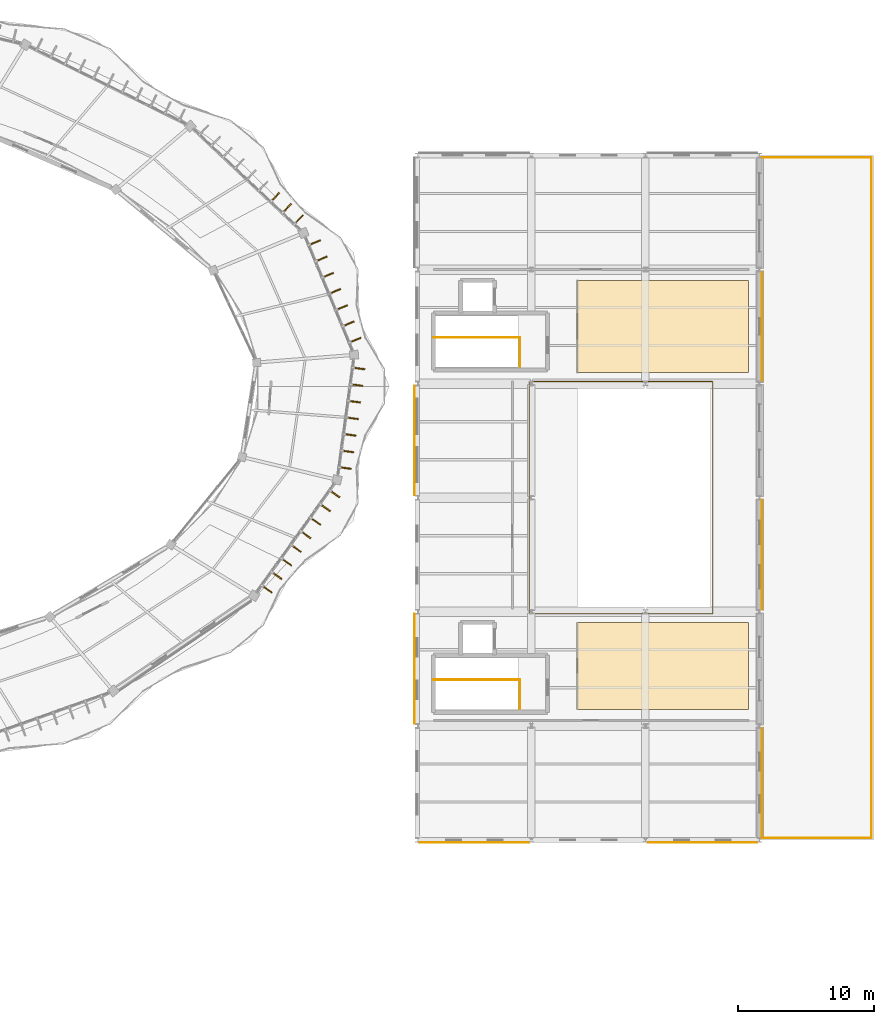
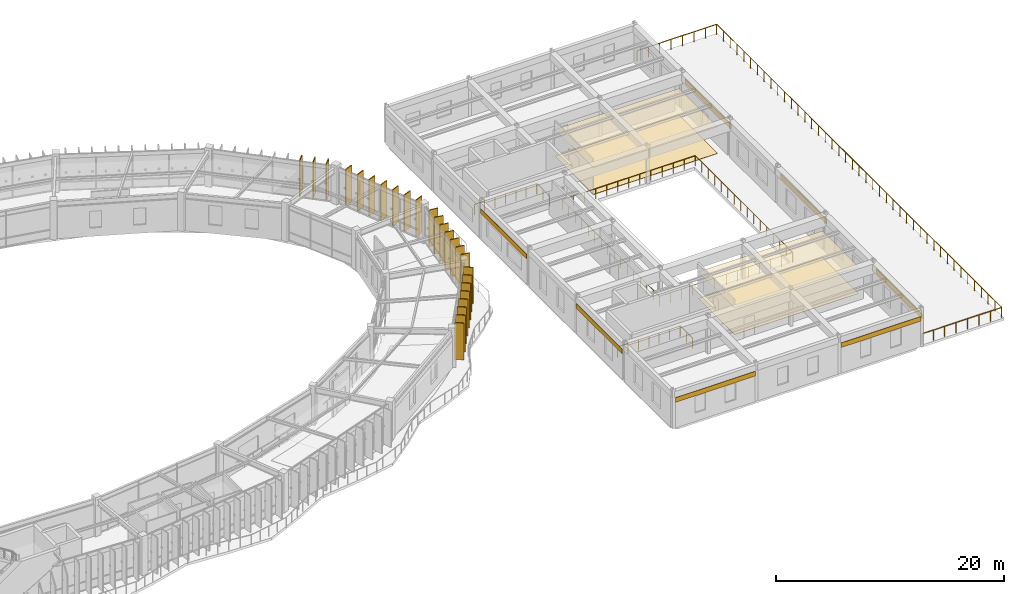
# One storey, part 113 of 114: 25 shading devices, 11 coverings, 6 railings.
"""IFC4 building model written with IfcOpenShell, lengths in metres."""

from ifc_helpers import new_model, si_unit, direction, frame, origin, origin_2d, place, context, subcontext, project, spatial, polyline, rectangle, circle, outline, extrude, material, layer, layer_set, type_object, element, save


model = new_model("IFC4")

# Units and contexts
model_context = context("Model", 3, precision=1e-05, world=origin(), true_north=direction((0.0, 1.0)))
body_context = subcontext(model_context, "Body", "Model", "MODEL_VIEW")
ifc_project = project(units=[si_unit("LENGTHUNIT", "METRE"), si_unit("AREAUNIT", "SQUARE_METRE"), si_unit("VOLUMEUNIT", "CUBIC_METRE"), si_unit("PLANEANGLEUNIT", "RADIAN"), si_unit("MASSUNIT", "GRAM", prefix="KILO"), si_unit("THERMODYNAMICTEMPERATUREUNIT", "KELVIN"), si_unit("POWERUNIT", "WATT")], contexts=[model_context])

# Site, building, storey
site_placement = place(None, origin())
site = spatial("IfcSite", under=ifc_project, at=site_placement, CompositionType="ELEMENT")
building_placement = place(site_placement, origin())
building = spatial("IfcBuilding", under=site, at=building_placement, Name="Darbajah Civic Hall", CompositionType="ELEMENT")
storey_placement = place(building_placement, frame((0.0, 0.0, 13.800048828125)))
storey = spatial("IfcBuildingStorey", under=building, at=storey_placement, Name="L03", CompositionType="ELEMENT", Elevation=13.800048828125)

# Railing
ifc_material_1 = material(Name="Anodised Bronze Aluminium and Laminated Safety Glass", Category="aluminium")
railing_type_1 = type_object("IfcRailingType", Name="Exterior Terrace Balustrade Guard", PredefinedType="BALUSTRADE", material=ifc_material_1)
railing_1_placement = place(storey_placement, frame((169.949951171875, 56.550048828125, 0.0)))
element("IfcRailing", 1, at=railing_1_placement, inside=storey, type_object=railing_type_1, Name="L03 walkable terrace balustrade guard GD-V4-L03-TERR", PredefinedType="BALUSTRADE", context=body_context, shape_type="SweptSolid", body=[
    extrude(circle(Radius=0.02392578125, at=origin_2d()), frame((0.02734375, 0.0, 1.09619140625), z_axis=(1.0, 0.0, 0.0), x_axis=(0.0, 1.0, 0.0)), (0.0, 0.0, 1.0), 8.04541015625),
    extrude(circle(Radius=0.02392578125, at=origin_2d()), frame((8.10009765625, 0.02734375, 1.09619140625), z_axis=(0.0, 1.0, 0.0), x_axis=(-1.0, 0.0, 0.0)), (0.0, 0.0, 1.0), 50.045166015625),
    extrude(circle(Radius=0.02392578125, at=origin_2d()), frame((8.07275390625, 50.099853515625, 1.09619140625), z_axis=(-1.0, 0.0, 0.0), x_axis=(0.0, -1.0, 0.0)), (0.0, 0.0, 1.0), 8.04541015625),
    extrude(circle(Radius=0.02099609375, at=origin_2d()), origin(), (0.0, 0.0, 1.0), 1.068115234375),
    extrude(circle(Radius=0.02099609375, at=origin_2d()), frame((1.1572265625, 0.0, 0.0)), (0.0, 0.0, 1.0), 1.068115234375),
    extrude(circle(Radius=0.02099609375, at=origin_2d()), frame((2.314208984375, 0.0, 0.0)), (0.0, 0.0, 1.0), 1.068115234375),
    extrude(circle(Radius=0.02099609375, at=origin_2d()), frame((3.471435546875, 0.0, 0.0)), (0.0, 0.0, 1.0), 1.068115234375),
    extrude(circle(Radius=0.02099609375, at=origin_2d()), frame((4.628662109375, 0.0, 0.0)), (0.0, 0.0, 1.0), 1.068115234375),
    extrude(circle(Radius=0.02099609375, at=origin_2d()), frame((5.785888671875, 0.0, 0.0)), (0.0, 0.0, 1.0), 1.068115234375),
    extrude(circle(Radius=0.02099609375, at=origin_2d()), frame((6.94287109375, 0.0, 0.0)), (0.0, 0.0, 1.0), 1.068115234375),
    extrude(circle(Radius=0.02099609375, at=origin_2d()), frame((8.10009765625, 0.0, 0.0)), (0.0, 0.0, 1.0), 1.068115234375),
    extrude(circle(Radius=0.02099609375, at=origin_2d()), frame((8.10009765625, 1.19287109375, 0.0)), (0.0, 0.0, 1.0), 1.068115234375),
    extrude(circle(Radius=0.02099609375, at=origin_2d()), frame((8.10009765625, 2.3857421875, 0.0)), (0.0, 0.0, 1.0), 1.068115234375),
    extrude(circle(Radius=0.02099609375, at=origin_2d()), frame((8.10009765625, 3.57861328125, 0.0)), (0.0, 0.0, 1.0), 1.068115234375),
    extrude(circle(Radius=0.02099609375, at=origin_2d()), frame((8.10009765625, 4.771484375, 0.0)), (0.0, 0.0, 1.0), 1.068115234375),
    extrude(circle(Radius=0.02099609375, at=origin_2d()), frame((8.10009765625, 5.96435546875, 0.0)), (0.0, 0.0, 1.0), 1.068115234375),
    extrude(circle(Radius=0.02099609375, at=origin_2d()), frame((8.10009765625, 7.1572265625, 0.0)), (0.0, 0.0, 1.0), 1.068115234375),
    extrude(circle(Radius=0.02099609375, at=origin_2d()), frame((8.10009765625, 8.35009765625, 0.0)), (0.0, 0.0, 1.0), 1.068115234375),
    extrude(circle(Radius=0.02099609375, at=origin_2d()), frame((8.10009765625, 9.542724609375, 0.0)), (0.0, 0.0, 1.0), 1.068115234375),
    extrude(circle(Radius=0.02099609375, at=origin_2d()), frame((8.10009765625, 10.735595703125, 0.0)), (0.0, 0.0, 1.0), 1.068115234375),
    extrude(circle(Radius=0.02099609375, at=origin_2d()), frame((8.10009765625, 11.928466796875, 0.0)), (0.0, 0.0, 1.0), 1.068115234375),
    extrude(circle(Radius=0.02099609375, at=origin_2d()), frame((8.10009765625, 13.121337890625, 0.0)), (0.0, 0.0, 1.0), 1.068115234375),
    extrude(circle(Radius=0.02099609375, at=origin_2d()), frame((8.10009765625, 14.314208984375, 0.0)), (0.0, 0.0, 1.0), 1.068115234375),
    extrude(circle(Radius=0.02099609375, at=origin_2d()), frame((8.10009765625, 15.507080078125, 0.0)), (0.0, 0.0, 1.0), 1.068115234375),
    extrude(circle(Radius=0.02099609375, at=origin_2d()), frame((8.10009765625, 16.699951171875, 0.0)), (0.0, 0.0, 1.0), 1.068115234375),
    extrude(circle(Radius=0.02099609375, at=origin_2d()), frame((8.10009765625, 17.892822265625, 0.0)), (0.0, 0.0, 1.0), 1.068115234375),
    extrude(circle(Radius=0.02099609375, at=origin_2d()), frame((8.10009765625, 19.085693359375, 0.0)), (0.0, 0.0, 1.0), 1.068115234375),
    extrude(circle(Radius=0.02099609375, at=origin_2d()), frame((8.10009765625, 20.278564453125, 0.0)), (0.0, 0.0, 1.0), 1.068115234375),
    extrude(circle(Radius=0.02099609375, at=origin_2d()), frame((8.10009765625, 21.471435546875, 0.0)), (0.0, 0.0, 1.0), 1.068115234375),
    extrude(circle(Radius=0.02099609375, at=origin_2d()), frame((8.10009765625, 22.664306640625, 0.0)), (0.0, 0.0, 1.0), 1.068115234375),
    extrude(circle(Radius=0.02099609375, at=origin_2d()), frame((8.10009765625, 23.857177734375, 0.0)), (0.0, 0.0, 1.0), 1.068115234375),
    extrude(circle(Radius=0.02099609375, at=origin_2d()), frame((8.10009765625, 25.0498046875, 0.0)), (0.0, 0.0, 1.0), 1.068115234375),
    extrude(circle(Radius=0.02099609375, at=origin_2d()), frame((8.10009765625, 26.24267578125, 0.0)), (0.0, 0.0, 1.0), 1.068115234375),
    extrude(circle(Radius=0.02099609375, at=origin_2d()), frame((8.10009765625, 27.435546875, 0.0)), (0.0, 0.0, 1.0), 1.068115234375),
    extrude(circle(Radius=0.02099609375, at=origin_2d()), frame((8.10009765625, 28.62841796875, 0.0)), (0.0, 0.0, 1.0), 1.068115234375),
    extrude(circle(Radius=0.02099609375, at=origin_2d()), frame((8.10009765625, 29.8212890625, 0.0)), (0.0, 0.0, 1.0), 1.068115234375),
    extrude(circle(Radius=0.02099609375, at=origin_2d()), frame((8.10009765625, 31.01416015625, 0.0)), (0.0, 0.0, 1.0), 1.068115234375),
    extrude(circle(Radius=0.02099609375, at=origin_2d()), frame((8.10009765625, 32.20703125, 0.0)), (0.0, 0.0, 1.0), 1.068115234375),
    extrude(circle(Radius=0.02099609375, at=origin_2d()), frame((8.10009765625, 33.39990234375, 0.0)), (0.0, 0.0, 1.0), 1.068115234375),
    extrude(circle(Radius=0.02099609375, at=origin_2d()), frame((8.10009765625, 34.5927734375, 0.0)), (0.0, 0.0, 1.0), 1.068115234375),
    extrude(circle(Radius=0.02099609375, at=origin_2d()), frame((8.10009765625, 35.78564453125, 0.0)), (0.0, 0.0, 1.0), 1.068115234375),
    extrude(circle(Radius=0.02099609375, at=origin_2d()), frame((8.10009765625, 36.978515625, 0.0)), (0.0, 0.0, 1.0), 1.068115234375),
    extrude(circle(Radius=0.02099609375, at=origin_2d()), frame((8.10009765625, 38.17138671875, 0.0)), (0.0, 0.0, 1.0), 1.068115234375),
    extrude(circle(Radius=0.02099609375, at=origin_2d()), frame((8.10009765625, 39.3642578125, 0.0)), (0.0, 0.0, 1.0), 1.068115234375),
    extrude(circle(Radius=0.02099609375, at=origin_2d()), frame((8.10009765625, 40.55712890625, 0.0)), (0.0, 0.0, 1.0), 1.068115234375),
    extrude(circle(Radius=0.02099609375, at=origin_2d()), frame((8.10009765625, 41.75, 0.0)), (0.0, 0.0, 1.0), 1.068115234375),
    extrude(circle(Radius=0.02099609375, at=origin_2d()), frame((8.10009765625, 42.942626953125, 0.0)), (0.0, 0.0, 1.0), 1.068115234375),
    extrude(circle(Radius=0.02099609375, at=origin_2d()), frame((8.10009765625, 44.135498046875, 0.0)), (0.0, 0.0, 1.0), 1.068115234375),
    extrude(circle(Radius=0.02099609375, at=origin_2d()), frame((8.10009765625, 45.328369140625, 0.0)), (0.0, 0.0, 1.0), 1.068115234375),
    extrude(circle(Radius=0.02099609375, at=origin_2d()), frame((8.10009765625, 46.521240234375, 0.0)), (0.0, 0.0, 1.0), 1.068115234375),
    extrude(circle(Radius=0.02099609375, at=origin_2d()), frame((8.10009765625, 47.714111328125, 0.0)), (0.0, 0.0, 1.0), 1.068115234375),
    extrude(circle(Radius=0.02099609375, at=origin_2d()), frame((8.10009765625, 48.906982421875, 0.0)), (0.0, 0.0, 1.0), 1.068115234375),
    extrude(circle(Radius=0.02099609375, at=origin_2d()), frame((8.10009765625, 50.099853515625, 0.0)), (0.0, 0.0, 1.0), 1.068115234375),
    extrude(circle(Radius=0.02099609375, at=origin_2d()), frame((6.94287109375, 50.099853515625, 0.0)), (0.0, 0.0, 1.0), 1.068115234375),
    extrude(circle(Radius=0.02099609375, at=origin_2d()), frame((5.785888671875, 50.099853515625, 0.0)), (0.0, 0.0, 1.0), 1.068115234375),
    extrude(circle(Radius=0.02099609375, at=origin_2d()), frame((4.628662109375, 50.099853515625, 0.0)), (0.0, 0.0, 1.0), 1.068115234375),
    extrude(circle(Radius=0.02099609375, at=origin_2d()), frame((3.471435546875, 50.099853515625, 0.0)), (0.0, 0.0, 1.0), 1.068115234375),
    extrude(circle(Radius=0.02099609375, at=origin_2d()), frame((2.314208984375, 50.099853515625, 0.0)), (0.0, 0.0, 1.0), 1.068115234375),
    extrude(circle(Radius=0.02099609375, at=origin_2d()), frame((1.1572265625, 50.099853515625, 0.0)), (0.0, 0.0, 1.0), 1.068115234375),
    extrude(circle(Radius=0.02099609375, at=origin_2d()), frame((0.0, 50.099853515625, 0.0)), (0.0, 0.0, 1.0), 1.068115234375),
])

# Coverings
ifc_material_2 = material(Name="Honed Qatari Limestone Terrazzo", Category="masonry")
ifc_layer_1 = layer(ifc_material_2, 0.030029296875, Name="Honed Qatari Limestone Terrazzo")
ifc_layer_set_1 = layer_set([ifc_layer_1], Name="Honed Qatari Limestone Terrazzo")
covering_type_1 = type_object("IfcCoveringType", Name="Honed Qatari Limestone Terrazzo Flooring", PredefinedType="FLOORING", material=ifc_layer_set_1)
covering_1_placement = place(storey_placement, origin())
element("IfcCovering", 2, at=covering_1_placement, inside=storey, type_object=covering_type_1, Name="L03 stone terrazzo flooring L03-V4-04", PredefinedType="FLOORING", context=body_context, shape_type="SweptSolid", body=[
    extrude(outline(polyline([(156.39990234375, 66.0), (169.0, 66.0), (169.0, 72.39990234375), (156.39990234375, 72.39990234375), (156.39990234375, 66.0)])), origin(), (0.0, 0.0, 1.0), 0.030029296875),
])
covering_2_placement = place(storey_placement, origin())
element("IfcCovering", 3, at=covering_2_placement, inside=storey, type_object=covering_type_1, Name="L03 stone terrazzo flooring L03-V4-05", PredefinedType="FLOORING", context=body_context, shape_type="SweptSolid", body=[
    extrude(outline(polyline([(156.39990234375, 90.800048828125), (169.0, 90.800048828125), (169.0, 97.60009765625), (156.39990234375, 97.60009765625), (156.39990234375, 90.800048828125)])), origin(), (0.0, 0.0, 1.0), 0.030029296875),
])

# Railings
ifc_material_3 = material(Name="Brushed Bronze and Laminated Safety Glass", Category="glass")
railing_type_2 = type_object("IfcRailingType", Name="Interior Guard Balustrade", PredefinedType="BALUSTRADE", material=ifc_material_3)
railing_2_placement = place(storey_placement, frame((152.169921875, 91.25, 0.0)))
element("IfcRailing", 4, at=railing_2_placement, inside=storey, type_object=railing_type_2, Name="ST08 L03 stair-well edge guard", PredefinedType="BALUSTRADE", context=body_context, shape_type="SweptSolid", body=[
    extrude(circle(Radius=0.02392578125, at=origin_2d()), frame((0.0, 0.02734375, 1.09619140625), z_axis=(0.0, 1.0, 0.0), x_axis=(-1.0, 0.0, 0.0)), (0.0, 0.0, 1.0), 2.09521484375),
    extrude(circle(Radius=0.02099609375, at=origin_2d()), origin(), (0.0, 0.0, 1.0), 1.068115234375),
    extrude(circle(Radius=0.02099609375, at=origin_2d()), frame((0.0, 1.074951171875, 0.0)), (0.0, 0.0, 1.0), 1.068115234375),
    extrude(circle(Radius=0.02099609375, at=origin_2d()), frame((0.0, 2.14990234375, 0.0)), (0.0, 0.0, 1.0), 1.068115234375),
])
railing_3_placement = place(storey_placement, frame((152.1201171875, 93.39990234375, 0.0)))
element("IfcRailing", 5, at=railing_3_placement, inside=storey, type_object=railing_type_2, Name="ST08 L03 top landing guard", PredefinedType="BALUSTRADE", context=body_context, shape_type="SweptSolid", body=[
    extrude(circle(Radius=0.02392578125, at=origin_2d()), frame((-0.02734375, 0.0, 1.09619140625), z_axis=(-1.0, 0.0, 0.0), x_axis=(0.0, -1.0, 0.0)), (0.0, 0.0, 1.0), 6.265380859375),
    extrude(circle(Radius=0.02099609375, at=origin_2d()), origin(), (0.0, 0.0, 1.0), 1.068115234375),
    extrude(circle(Radius=0.02099609375, at=origin_2d()), frame((-1.05322265625, 0.0, 0.0)), (0.0, 0.0, 1.0), 1.068115234375),
    extrude(circle(Radius=0.02099609375, at=origin_2d()), frame((-2.106689453125, 0.0, 0.0)), (0.0, 0.0, 1.0), 1.068115234375),
    extrude(circle(Radius=0.02099609375, at=origin_2d()), frame((-3.16015625, 0.0, 0.0)), (0.0, 0.0, 1.0), 1.068115234375),
    extrude(circle(Radius=0.02099609375, at=origin_2d()), frame((-4.21337890625, 0.0, 0.0)), (0.0, 0.0, 1.0), 1.068115234375),
    extrude(circle(Radius=0.02099609375, at=origin_2d()), frame((-5.2666015625, 0.0, 0.0)), (0.0, 0.0, 1.0), 1.068115234375),
    extrude(circle(Radius=0.02099609375, at=origin_2d()), frame((-6.320068359375, 0.0, 0.0)), (0.0, 0.0, 1.0), 1.068115234375),
])
railing_4_placement = place(storey_placement, frame((152.169921875, 66.050048828125, 0.0)))
element("IfcRailing", 6, at=railing_4_placement, inside=storey, type_object=railing_type_2, Name="ST09 L03 stair-well edge guard", PredefinedType="BALUSTRADE", context=body_context, shape_type="SweptSolid", body=[
    extrude(circle(Radius=0.02392578125, at=origin_2d()), frame((0.0, 0.02734375, 1.09619140625), z_axis=(0.0, 1.0, 0.0), x_axis=(-1.0, 0.0, 0.0)), (0.0, 0.0, 1.0), 2.09521484375),
    extrude(circle(Radius=0.02099609375, at=origin_2d()), origin(), (0.0, 0.0, 1.0), 1.068115234375),
    extrude(circle(Radius=0.02099609375, at=origin_2d()), frame((0.0, 1.074951171875, 0.0)), (0.0, 0.0, 1.0), 1.068115234375),
    extrude(circle(Radius=0.02099609375, at=origin_2d()), frame((0.0, 2.14990234375, 0.0)), (0.0, 0.0, 1.0), 1.068115234375),
])
railing_5_placement = place(storey_placement, frame((152.1201171875, 68.199951171875, 0.0)))
element("IfcRailing", 7, at=railing_5_placement, inside=storey, type_object=railing_type_2, Name="ST09 L03 top landing guard", PredefinedType="BALUSTRADE", context=body_context, shape_type="SweptSolid", body=[
    extrude(circle(Radius=0.02392578125, at=origin_2d()), frame((-0.02734375, 0.0, 1.09619140625), z_axis=(-1.0, 0.0, 0.0), x_axis=(0.0, -1.0, 0.0)), (0.0, 0.0, 1.0), 6.265380859375),
    extrude(circle(Radius=0.02099609375, at=origin_2d()), origin(), (0.0, 0.0, 1.0), 1.068115234375),
    extrude(circle(Radius=0.02099609375, at=origin_2d()), frame((-1.05322265625, 0.0, 0.0)), (0.0, 0.0, 1.0), 1.068115234375),
    extrude(circle(Radius=0.02099609375, at=origin_2d()), frame((-2.106689453125, 0.0, 0.0)), (0.0, 0.0, 1.0), 1.068115234375),
    extrude(circle(Radius=0.02099609375, at=origin_2d()), frame((-3.16015625, 0.0, 0.0)), (0.0, 0.0, 1.0), 1.068115234375),
    extrude(circle(Radius=0.02099609375, at=origin_2d()), frame((-4.21337890625, 0.0, 0.0)), (0.0, 0.0, 1.0), 1.068115234375),
    extrude(circle(Radius=0.02099609375, at=origin_2d()), frame((-5.2666015625, 0.0, 0.0)), (0.0, 0.0, 1.0), 1.068115234375),
    extrude(circle(Radius=0.02099609375, at=origin_2d()), frame((-6.320068359375, 0.0, 0.0)), (0.0, 0.0, 1.0), 1.068115234375),
])
railing_6_placement = place(storey_placement, frame((152.85009765625, 73.050048828125, 0.0)))
element("IfcRailing", 8, at=railing_6_placement, inside=storey, type_object=railing_type_2, Name="L03 Library Reading Hall gallery balustrade", PredefinedType="BALUSTRADE", context=body_context, shape_type="SweptSolid", body=[
    extrude(circle(Radius=0.02392578125, at=origin_2d()), frame((0.02734375, 0.0, 1.09619140625), z_axis=(1.0, 0.0, 0.0), x_axis=(0.0, 1.0, 0.0)), (0.0, 0.0, 1.0), 13.4453125),
    extrude(circle(Radius=0.02392578125, at=origin_2d()), frame((13.5, 0.02734375, 1.09619140625), z_axis=(0.0, 1.0, 0.0), x_axis=(-1.0, 0.0, 0.0)), (0.0, 0.0, 1.0), 17.045166015625),
    extrude(circle(Radius=0.02392578125, at=origin_2d()), frame((13.47265625, 17.099853515625, 1.09619140625), z_axis=(-1.0, 0.0, 0.0), x_axis=(0.0, -1.0, 0.0)), (0.0, 0.0, 1.0), 13.4453125),
    extrude(circle(Radius=0.02392578125, at=origin_2d()), frame((0.0, 17.072509765625, 1.09619140625), z_axis=(0.0, -1.0, 0.0), x_axis=(1.0, 0.0, 0.0)), (0.0, 0.0, 1.0), 17.045166015625),
    extrude(circle(Radius=0.02099609375, at=origin_2d()), origin(), (0.0, 0.0, 1.0), 1.068115234375),
    extrude(circle(Radius=0.02099609375, at=origin_2d()), frame((1.125, 0.0, 0.0)), (0.0, 0.0, 1.0), 1.068115234375),
    extrude(circle(Radius=0.02099609375, at=origin_2d()), frame((2.25, 0.0, 0.0)), (0.0, 0.0, 1.0), 1.068115234375),
    extrude(circle(Radius=0.02099609375, at=origin_2d()), frame((3.375, 0.0, 0.0)), (0.0, 0.0, 1.0), 1.068115234375),
    extrude(circle(Radius=0.02099609375, at=origin_2d()), frame((4.5, 0.0, 0.0)), (0.0, 0.0, 1.0), 1.068115234375),
    extrude(circle(Radius=0.02099609375, at=origin_2d()), frame((5.625, 0.0, 0.0)), (0.0, 0.0, 1.0), 1.068115234375),
    extrude(circle(Radius=0.02099609375, at=origin_2d()), frame((6.75, 0.0, 0.0)), (0.0, 0.0, 1.0), 1.068115234375),
    extrude(circle(Radius=0.02099609375, at=origin_2d()), frame((7.875, 0.0, 0.0)), (0.0, 0.0, 1.0), 1.068115234375),
    extrude(circle(Radius=0.02099609375, at=origin_2d()), frame((9.0, 0.0, 0.0)), (0.0, 0.0, 1.0), 1.068115234375),
    extrude(circle(Radius=0.02099609375, at=origin_2d()), frame((10.125, 0.0, 0.0)), (0.0, 0.0, 1.0), 1.068115234375),
    extrude(circle(Radius=0.02099609375, at=origin_2d()), frame((11.25, 0.0, 0.0)), (0.0, 0.0, 1.0), 1.068115234375),
    extrude(circle(Radius=0.02099609375, at=origin_2d()), frame((12.375, 0.0, 0.0)), (0.0, 0.0, 1.0), 1.068115234375),
    extrude(circle(Radius=0.02099609375, at=origin_2d()), frame((13.5, 0.0, 0.0)), (0.0, 0.0, 1.0), 1.068115234375),
    extrude(circle(Radius=0.02099609375, at=origin_2d()), frame((13.5, 1.139892578125, 0.0)), (0.0, 0.0, 1.0), 1.068115234375),
    extrude(circle(Radius=0.02099609375, at=origin_2d()), frame((13.5, 2.280029296875, 0.0)), (0.0, 0.0, 1.0), 1.068115234375),
    extrude(circle(Radius=0.02099609375, at=origin_2d()), frame((13.5, 3.419921875, 0.0)), (0.0, 0.0, 1.0), 1.068115234375),
    extrude(circle(Radius=0.02099609375, at=origin_2d()), frame((13.5, 4.56005859375, 0.0)), (0.0, 0.0, 1.0), 1.068115234375),
    extrude(circle(Radius=0.02099609375, at=origin_2d()), frame((13.5, 5.699951171875, 0.0)), (0.0, 0.0, 1.0), 1.068115234375),
    extrude(circle(Radius=0.02099609375, at=origin_2d()), frame((13.5, 6.83984375, 0.0)), (0.0, 0.0, 1.0), 1.068115234375),
    extrude(circle(Radius=0.02099609375, at=origin_2d()), frame((13.5, 7.97998046875, 0.0)), (0.0, 0.0, 1.0), 1.068115234375),
    extrude(circle(Radius=0.02099609375, at=origin_2d()), frame((13.5, 9.119873046875, 0.0)), (0.0, 0.0, 1.0), 1.068115234375),
    extrude(circle(Radius=0.02099609375, at=origin_2d()), frame((13.5, 10.260009765625, 0.0)), (0.0, 0.0, 1.0), 1.068115234375),
    extrude(circle(Radius=0.02099609375, at=origin_2d()), frame((13.5, 11.39990234375, 0.0)), (0.0, 0.0, 1.0), 1.068115234375),
    extrude(circle(Radius=0.02099609375, at=origin_2d()), frame((13.5, 12.539794921875, 0.0)), (0.0, 0.0, 1.0), 1.068115234375),
    extrude(circle(Radius=0.02099609375, at=origin_2d()), frame((13.5, 13.679931640625, 0.0)), (0.0, 0.0, 1.0), 1.068115234375),
    extrude(circle(Radius=0.02099609375, at=origin_2d()), frame((13.5, 14.81982421875, 0.0)), (0.0, 0.0, 1.0), 1.068115234375),
    extrude(circle(Radius=0.02099609375, at=origin_2d()), frame((13.5, 15.9599609375, 0.0)), (0.0, 0.0, 1.0), 1.068115234375),
    extrude(circle(Radius=0.02099609375, at=origin_2d()), frame((13.5, 17.099853515625, 0.0)), (0.0, 0.0, 1.0), 1.068115234375),
    extrude(circle(Radius=0.02099609375, at=origin_2d()), frame((12.375, 17.099853515625, 0.0)), (0.0, 0.0, 1.0), 1.068115234375),
    extrude(circle(Radius=0.02099609375, at=origin_2d()), frame((11.25, 17.099853515625, 0.0)), (0.0, 0.0, 1.0), 1.068115234375),
    extrude(circle(Radius=0.02099609375, at=origin_2d()), frame((10.125, 17.099853515625, 0.0)), (0.0, 0.0, 1.0), 1.068115234375),
    extrude(circle(Radius=0.02099609375, at=origin_2d()), frame((9.0, 17.099853515625, 0.0)), (0.0, 0.0, 1.0), 1.068115234375),
    extrude(circle(Radius=0.02099609375, at=origin_2d()), frame((7.875, 17.099853515625, 0.0)), (0.0, 0.0, 1.0), 1.068115234375),
    extrude(circle(Radius=0.02099609375, at=origin_2d()), frame((6.75, 17.099853515625, 0.0)), (0.0, 0.0, 1.0), 1.068115234375),
    extrude(circle(Radius=0.02099609375, at=origin_2d()), frame((5.625, 17.099853515625, 0.0)), (0.0, 0.0, 1.0), 1.068115234375),
    extrude(circle(Radius=0.02099609375, at=origin_2d()), frame((4.5, 17.099853515625, 0.0)), (0.0, 0.0, 1.0), 1.068115234375),
    extrude(circle(Radius=0.02099609375, at=origin_2d()), frame((3.375, 17.099853515625, 0.0)), (0.0, 0.0, 1.0), 1.068115234375),
    extrude(circle(Radius=0.02099609375, at=origin_2d()), frame((2.25, 17.099853515625, 0.0)), (0.0, 0.0, 1.0), 1.068115234375),
    extrude(circle(Radius=0.02099609375, at=origin_2d()), frame((1.125, 17.099853515625, 0.0)), (0.0, 0.0, 1.0), 1.068115234375),
    extrude(circle(Radius=0.02099609375, at=origin_2d()), frame((0.0, 17.099853515625, 0.0)), (0.0, 0.0, 1.0), 1.068115234375),
    extrude(circle(Radius=0.02099609375, at=origin_2d()), frame((0.0, 15.9599609375, 0.0)), (0.0, 0.0, 1.0), 1.068115234375),
    extrude(circle(Radius=0.02099609375, at=origin_2d()), frame((0.0, 14.81982421875, 0.0)), (0.0, 0.0, 1.0), 1.068115234375),
    extrude(circle(Radius=0.02099609375, at=origin_2d()), frame((0.0, 13.679931640625, 0.0)), (0.0, 0.0, 1.0), 1.068115234375),
    extrude(circle(Radius=0.02099609375, at=origin_2d()), frame((0.0, 12.539794921875, 0.0)), (0.0, 0.0, 1.0), 1.068115234375),
    extrude(circle(Radius=0.02099609375, at=origin_2d()), frame((0.0, 11.39990234375, 0.0)), (0.0, 0.0, 1.0), 1.068115234375),
    extrude(circle(Radius=0.02099609375, at=origin_2d()), frame((0.0, 10.260009765625, 0.0)), (0.0, 0.0, 1.0), 1.068115234375),
    extrude(circle(Radius=0.02099609375, at=origin_2d()), frame((0.0, 9.119873046875, 0.0)), (0.0, 0.0, 1.0), 1.068115234375),
    extrude(circle(Radius=0.02099609375, at=origin_2d()), frame((0.0, 7.97998046875, 0.0)), (0.0, 0.0, 1.0), 1.068115234375),
    extrude(circle(Radius=0.02099609375, at=origin_2d()), frame((0.0, 6.83984375, 0.0)), (0.0, 0.0, 1.0), 1.068115234375),
    extrude(circle(Radius=0.02099609375, at=origin_2d()), frame((0.0, 5.699951171875, 0.0)), (0.0, 0.0, 1.0), 1.068115234375),
    extrude(circle(Radius=0.02099609375, at=origin_2d()), frame((0.0, 4.56005859375, 0.0)), (0.0, 0.0, 1.0), 1.068115234375),
    extrude(circle(Radius=0.02099609375, at=origin_2d()), frame((0.0, 3.419921875, 0.0)), (0.0, 0.0, 1.0), 1.068115234375),
    extrude(circle(Radius=0.02099609375, at=origin_2d()), frame((0.0, 2.280029296875, 0.0)), (0.0, 0.0, 1.0), 1.068115234375),
    extrude(circle(Radius=0.02099609375, at=origin_2d()), frame((0.0, 1.139892578125, 0.0)), (0.0, 0.0, 1.0), 1.068115234375),
])

# Coverings
ifc_material_4 = material(Name="Qatari Desert Limestone Ashlar", Category="masonry")
ifc_layer_2 = layer(ifc_material_4, 0.044921875, Name="Qatari Desert Limestone Ashlar")
ifc_layer_set_2 = layer_set([ifc_layer_2], Name="Qatari Desert Limestone Ashlar")
covering_type_2 = type_object("IfcCoveringType", Name="Limestone Facade Cladding", PredefinedType="CLADDING", material=ifc_layer_set_2)
covering_3_placement = place(storey_placement, frame((0.0, 0.0, 2.780029296875)))
element("IfcCovering", 9, at=covering_3_placement, inside=storey, type_object=covering_type_2, Name="L03 stone frieze cladding EW-V4-L03-S0-B0", PredefinedType="CLADDING", context=body_context, shape_type="SweptSolid", body=[
    extrude(outline(polyline([(144.756591796875, 56.22998046875), (152.843505859375, 56.22998046875), (152.843505859375, 56.18505859375), (144.756591796875, 56.18505859375), (144.756591796875, 56.22998046875)])), origin(), (0.0, 0.0, 1.0), 0.5),
])
covering_4_placement = place(storey_placement, frame((0.0, 0.0, 2.780029296875)))
element("IfcCovering", 10, at=covering_4_placement, inside=storey, type_object=covering_type_2, Name="L03 stone frieze cladding EW-V4-L03-S0-B2", PredefinedType="CLADDING", context=body_context, shape_type="SweptSolid", body=[
    extrude(outline(polyline([(161.556640625, 56.22998046875), (169.643310546875, 56.22998046875), (169.643310546875, 56.18505859375), (161.556640625, 56.18505859375), (161.556640625, 56.22998046875)])), origin(), (0.0, 0.0, 1.0), 0.5),
])
covering_5_placement = place(storey_placement, frame((0.0, 0.0, 2.679931640625)))
element("IfcCovering", 11, at=covering_5_placement, inside=storey, type_object=covering_type_2, Name="L03 stone frieze cladding EW-V4-L03-S1-B0", PredefinedType="CLADDING", context=body_context, shape_type="SweptSolid", body=[
    extrude(outline(polyline([(169.969970703125, 56.562255859375), (169.969970703125, 64.6376953125), (170.014892578125, 64.6376953125), (170.014892578125, 56.562255859375), (169.969970703125, 56.562255859375)])), origin(), (0.0, 0.0, 1.0), 0.5),
])
covering_6_placement = place(storey_placement, frame((0.0, 0.0, 2.679931640625)))
element("IfcCovering", 12, at=covering_6_placement, inside=storey, type_object=covering_type_2, Name="L03 stone frieze cladding EW-V4-L03-S1-B2", PredefinedType="CLADDING", context=body_context, shape_type="SweptSolid", body=[
    extrude(outline(polyline([(169.969970703125, 73.3623046875), (169.969970703125, 81.437744140625), (170.014892578125, 81.437744140625), (170.014892578125, 73.3623046875), (169.969970703125, 73.3623046875)])), origin(), (0.0, 0.0, 1.0), 0.5),
])
covering_7_placement = place(storey_placement, frame((0.0, 0.0, 2.679931640625)))
element("IfcCovering", 13, at=covering_7_placement, inside=storey, type_object=covering_type_2, Name="L03 stone frieze cladding EW-V4-L03-S1-B4", PredefinedType="CLADDING", context=body_context, shape_type="SweptSolid", body=[
    extrude(outline(polyline([(169.969970703125, 90.162353515625), (169.969970703125, 98.23779296875), (170.014892578125, 98.23779296875), (170.014892578125, 90.162353515625), (169.969970703125, 90.162353515625)])), origin(), (0.0, 0.0, 1.0), 0.5),
])
covering_8_placement = place(storey_placement, frame((0.0, 0.0, 2.780029296875)))
element("IfcCovering", 14, at=covering_8_placement, inside=storey, type_object=covering_type_2, Name="L03 stone frieze cladding EW-V4-L03-S3-B2", PredefinedType="CLADDING", context=body_context, shape_type="SweptSolid", body=[
    extrude(outline(polyline([(144.429931640625, 89.837646484375), (144.429931640625, 81.76220703125), (144.385009765625, 81.76220703125), (144.385009765625, 89.837646484375), (144.429931640625, 89.837646484375)])), origin(), (0.0, 0.0, 1.0), 0.5),
])
covering_9_placement = place(storey_placement, frame((0.0, 0.0, 2.780029296875)))
element("IfcCovering", 15, at=covering_9_placement, inside=storey, type_object=covering_type_2, Name="L03 stone frieze cladding EW-V4-L03-S3-B4", PredefinedType="CLADDING", context=body_context, shape_type="SweptSolid", body=[
    extrude(outline(polyline([(144.429931640625, 73.03759765625), (144.429931640625, 64.96240234375), (144.385009765625, 64.96240234375), (144.385009765625, 73.03759765625), (144.429931640625, 73.03759765625)])), origin(), (0.0, 0.0, 1.0), 0.5),
])
ifc_material_5 = material(Name="Perforated Acoustic Gypsum Board")
ifc_layer_3 = layer(ifc_material_5, 0.02490234375, Name="Perforated Acoustic Gypsum Board")
ifc_layer_set_3 = layer_set([ifc_layer_3], Name="Perforated Acoustic Gypsum Board")
covering_type_3 = type_object("IfcCoveringType", Name="Perforated Acoustic Gypsum Ceiling", PredefinedType="CEILING", material=ifc_layer_set_3)
covering_10_placement = place(storey_placement, frame((0.0, 0.0, 2.849853515625)))
element("IfcCovering", 16, at=covering_10_placement, inside=storey, type_object=covering_type_3, Name="L03 acoustic suspended ceiling L03-V4-04", PredefinedType="CEILING", context=body_context, shape_type="SweptSolid", body=[
    extrude(outline(polyline([(156.39990234375, 66.0), (169.0, 66.0), (169.0, 72.39990234375), (156.39990234375, 72.39990234375), (156.39990234375, 66.0)])), origin(), (0.0, 0.0, 1.0), 0.025146484375),
])
covering_11_placement = place(storey_placement, frame((0.0, 0.0, 2.849853515625)))
element("IfcCovering", 17, at=covering_11_placement, inside=storey, type_object=covering_type_3, Name="L03 acoustic suspended ceiling L03-V4-05", PredefinedType="CEILING", context=body_context, shape_type="SweptSolid", body=[
    extrude(outline(polyline([(156.39990234375, 90.800048828125), (169.0, 90.800048828125), (169.0, 97.60009765625), (156.39990234375, 97.60009765625), (156.39990234375, 90.800048828125)])), origin(), (0.0, 0.0, 1.0), 0.025146484375),
])

# Shading devices
ifc_material_6 = material(Name="Bronze Anodised Aluminium and Teak Composite", Category="aluminium")
shading_device_type = type_object("IfcShadingDeviceType", Name="Vertical Bronze Timber Shading Fin", PredefinedType="USERDEFINED", material=ifc_material_6)
for number, where, z_axis, x_axis, name in (
    (18, (140.044921875, 93.2119140625, 0.0), (0.0, 0.0, 1.0), (0.923612143954, 0.383328328644, 0.0), "L03 vertical shading fin VF-00-1"),
    (19, (139.548583984375, 94.40771484375, 0.0), (0.0, 0.0, 1.0), (0.923612143954, 0.383328328644, 0.0), "L03 vertical shading fin VF-00-2"),
    (20, (139.05224609375, 95.603515625, 0.0), (0.0, 0.0, 1.0), (0.923612143954, 0.383328328644, 0.0), "L03 vertical shading fin VF-00-3"),
    (21, (138.555908203125, 96.79931640625, 0.0), (0.0, 0.0, 1.0), (0.923612143954, 0.383328328644, 0.0), "L03 vertical shading fin VF-00-4"),
    (22, (138.03955078125, 97.98681640625, 0.0), (0.0, 0.0, 1.0), (0.923612143954, 0.383328328644, 0.0), "L03 vertical shading fin VF-00-5"),
    (23, (137.5634765625, 99.19091796875, 0.0), (0.0, 0.0, 1.0), (0.923612143954, 0.383328328644, 0.0), "L03 vertical shading fin VF-00-6"),
    (24, (137.067138671875, 100.38671875, 0.0), (0.0, 0.0, 1.0), (0.923612143954, 0.383328328644, 0.0), "L03 vertical shading fin VF-00-7"),
    (25, (135.896728515625, 102.1005859375, 0.0), (0.0, 0.0, 1.0), (0.686453193248, 0.727173991201, 0.0), "L03 vertical shading fin VF-01-1"),
    (26, (135.023193359375, 102.925048828125, 0.0), (0.0, 0.0, 1.0), (0.686453193248, 0.727173991201, 0.0), "L03 vertical shading fin VF-01-2"),
    (27, (134.14990234375, 103.74951171875, 0.0), (0.0, 0.0, 1.0), (0.686453193248, 0.727173991201, 0.0), "L03 vertical shading fin VF-01-3"),
    (28, (133.551513671875, 74.85205078125, 0.0), (0.0, 0.0, 1.0), (0.812999149039, -0.582264874145, 0.0), "L03 vertical shading fin VF-18-1"),
    (29, (134.26708984375, 75.8515625, 0.0), (0.0, 0.0, 1.0), (0.812999149039, -0.582264874145, 0.0), "L03 vertical shading fin VF-18-2"),
    (30, (134.98291015625, 76.850830078125, 0.0), (0.0, 0.0, 1.0), (0.812999149039, -0.582264874145, 0.0), "L03 vertical shading fin VF-18-3"),
    (31, (135.698486328125, 77.850341796875, 0.0), (0.0, 0.0, 1.0), (0.812999149039, -0.582264874145, 0.0), "L03 vertical shading fin VF-18-4"),
    (32, (136.414306640625, 78.849609375, 0.0), (0.0, 0.0, 1.0), (0.812999149039, -0.582264874145, 0.0), "L03 vertical shading fin VF-18-5"),
    (33, (137.1298828125, 79.84912109375, 0.0), (0.0, 0.0, 1.0), (0.812999149039, -0.582264874145, 0.0), "L03 vertical shading fin VF-18-6"),
    (34, (137.845703125, 80.848388671875, 0.0), (0.0, 0.0, 1.0), (0.812999149039, -0.582264874145, 0.0), "L03 vertical shading fin VF-18-7"),
    (35, (138.54150390625, 81.8623046875, 0.0), (0.0, 0.0, 1.0), (0.812999149039, -0.582264874145, 0.0), "L03 vertical shading fin VF-18-8"),
    (36, (139.328369140625, 83.77880859375, 0.0), (0.0, 0.0, 1.0), (0.990865897387, -0.134850930274, 0.0), "L03 vertical shading fin VF-19-1"),
    (37, (139.49462890625, 85.000732421875, 0.0), (0.0, 0.0, 1.0), (0.990865897387, -0.134850930274, 0.0), "L03 vertical shading fin VF-19-2"),
    (38, (139.660888671875, 86.22265625, 0.0), (0.0, 0.0, 1.0), (0.990865897387, -0.134850930274, 0.0), "L03 vertical shading fin VF-19-3"),
    (39, (139.8271484375, 87.444580078125, 0.0), (0.0, 0.0, 1.0), (0.990865897387, -0.134850930274, 0.0), "L03 vertical shading fin VF-19-4"),
    (40, (139.993408203125, 88.66650390625, 0.0), (0.0, 0.0, 1.0), (0.990865897387, -0.134850930274, 0.0), "L03 vertical shading fin VF-19-5"),
    (41, (140.15966796875, 89.88818359375, 0.0), (0.0, 0.0, 1.0), (0.990865897387, -0.134850930274, 0.0), "L03 vertical shading fin VF-19-6"),
    (42, (140.325927734375, 91.110107421875, 0.0), (0.0, 0.0, 1.0), (0.990865897387, -0.134850930274, 0.0), "L03 vertical shading fin VF-19-7"),
):
    element("IfcShadingDevice", number, at=place(storey_placement, frame(where, z_axis=z_axis, x_axis=x_axis)), inside=storey, type_object=shading_device_type, Name=name, ObjectType="VERTICAL FIN", PredefinedType="USERDEFINED", context=body_context, shape_type="SweptSolid", body=[
        extrude(rectangle(XDim=0.85009765625, YDim=0.090087890625, at=origin_2d()), origin(), (0.0, 0.0, 1.0), 3.919921875),
    ])

save(model, "model.ifc")
